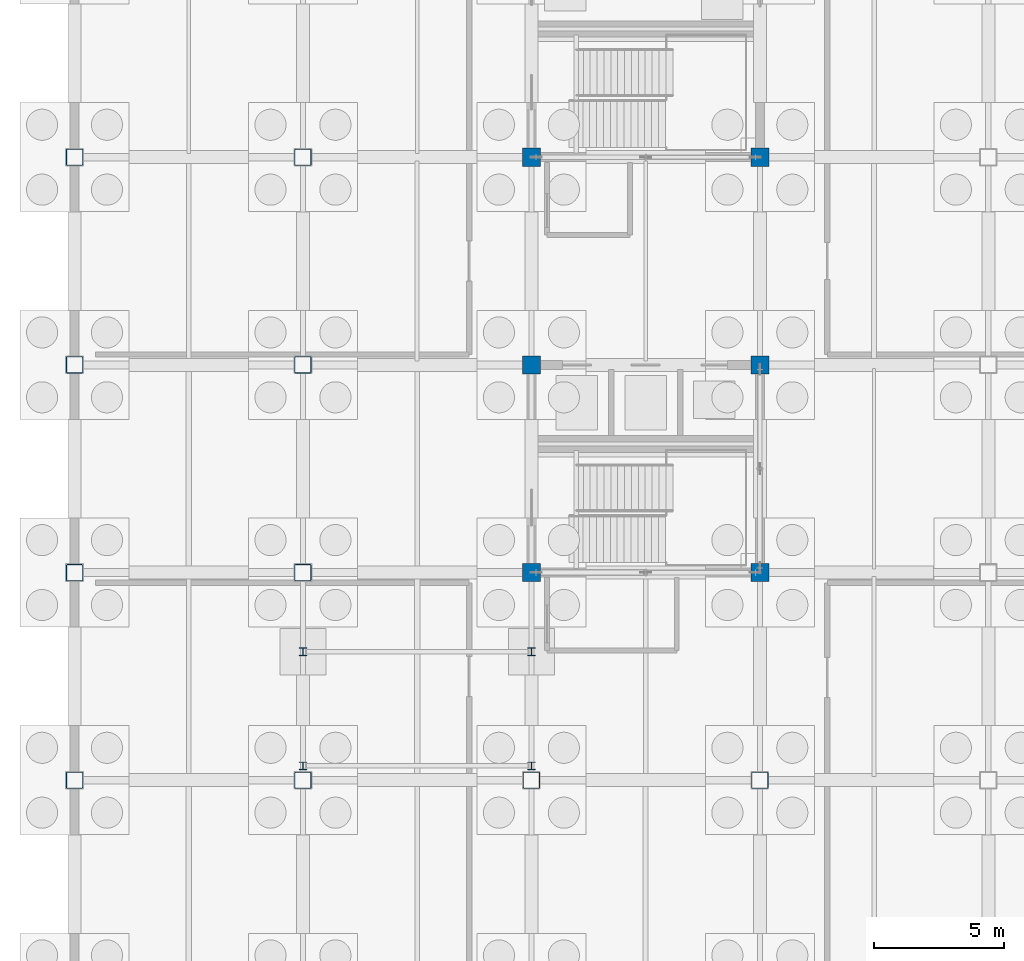
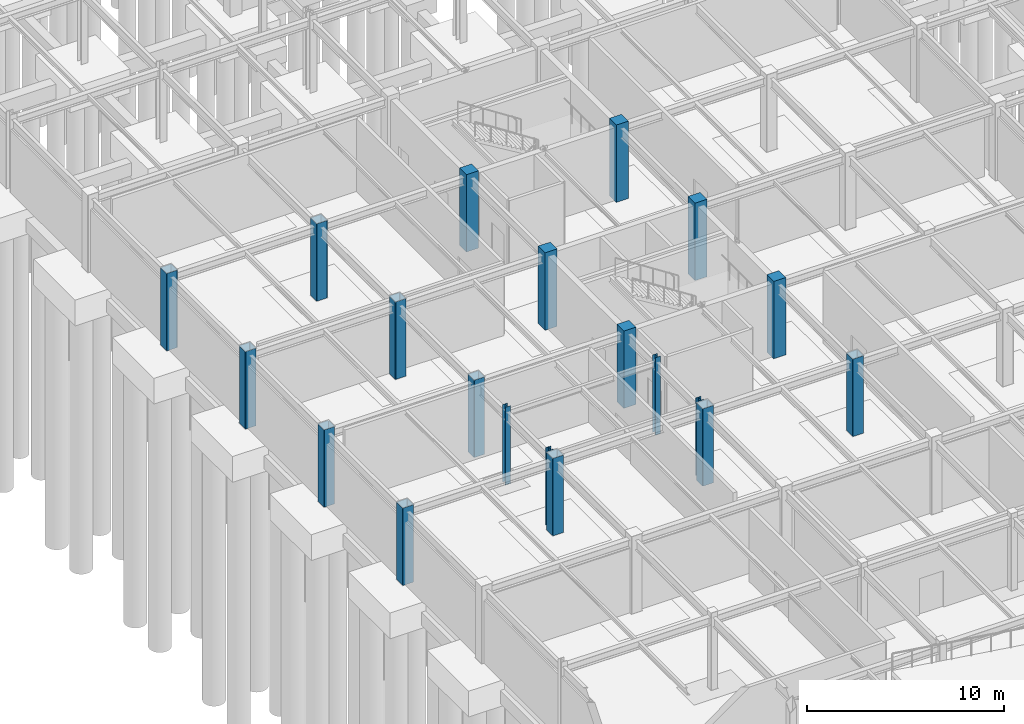
# One storey, part 14 of 72: 20 columns.
"""IFC4 building model written with IfcOpenShell, lengths in metres."""

from ifc_helpers import new_model, si_unit, direction, frame, origin, origin_2d, place, context, subcontext, project, spatial, rectangle, hollow_rectangle, i_section, extrude, material, material_profile, profile_set, type_object, element, save


model = new_model("IFC4")

# Units and contexts
model_context = context("Model", 3, precision=1e-05, world=origin(), true_north=direction((0.0, 1.0)))
body_context = subcontext(model_context, "Body", "Model", "MODEL_VIEW")
ifc_project = project(units=[si_unit("LENGTHUNIT", "METRE"), si_unit("AREAUNIT", "SQUARE_METRE"), si_unit("VOLUMEUNIT", "CUBIC_METRE"), si_unit("PLANEANGLEUNIT", "RADIAN"), si_unit("MASSUNIT", "GRAM", prefix="KILO")], contexts=[model_context])

# Site, building, storey
site_placement = place(None, origin())
site = spatial("IfcSite", under=ifc_project, at=site_placement, CompositionType="ELEMENT")
building_placement = place(site_placement, origin())
building = spatial("IfcBuilding", under=site, at=building_placement, Name="Zhaolan Boulevard Law Courts", CompositionType="ELEMENT")
storey_placement = place(building_placement, frame((0.0, 0.0, -4.800048828125)))
storey = spatial("IfcBuildingStorey", under=building, at=storey_placement, Name="B1", CompositionType="ELEMENT", Elevation=-4.800048828125)

# Columns
ifc_material_1 = material(Name="Structural steel Q390B", Category="steel")
ifc_material_profile_1 = material_profile(ifc_material_1, hollow_rectangle(XDim=0.64990234375, YDim=0.64990234375, WallThickness=0.02587890625, InnerFilletRadius=0.02587890625, OuterFilletRadius=0.052001953125, at=origin_2d()), Name="BOX650x650x26")
ifc_profile_set_1 = profile_set([ifc_material_profile_1], Name="Structural steel Q390B")
column_type_1 = type_object("IfcColumnType", Name="COL BOX650", PredefinedType="COLUMN", material=ifc_profile_set_1)
for number, where, z_axis, x_axis, name in (
    (1, (0.0, 38.0, 0.0), (0.0, 0.0, 1.0), (1.0, 0.0, 0.0), "Column C-1F (B1)"),
    (2, (0.0, 46.0, 0.0), (0.0, 0.0, 1.0), (1.0, 0.0, 0.0), "Column C-1G (B1)"),
    (3, (0.0, 54.0, 0.0), (0.0, 0.0, 1.0), (1.0, 0.0, 0.0), "Column C-1H (B1)"),
    (4, (0.0, 62.0, 0.0), (0.0, 0.0, 1.0), (1.0, 0.0, 0.0), "Column C-1J (B1)"),
    (5, (8.800048828125, 38.0, 0.0), (0.0, 0.0, 1.0), (1.0, 0.0, 0.0), "Column C-2F (B1)"),
    (6, (8.800048828125, 46.0, 0.0), (0.0, 0.0, 1.0), (1.0, 0.0, 0.0), "Column C-2G (B1)"),
    (7, (8.800048828125, 54.0, 0.0), (0.0, 0.0, 1.0), (1.0, 0.0, 0.0), "Column C-2H (B1)"),
    (8, (8.800048828125, 62.0, 0.0), (0.0, 0.0, 1.0), (1.0, 0.0, 0.0), "Column C-2J (B1)"),
    (9, (17.60009765625, 38.0, 0.0), (0.0, 0.0, 1.0), (1.0, 0.0, 0.0), "Column C-3F (B1)"),
    (10, (26.39990234375, 38.0, 0.0), (0.0, 0.0, 1.0), (1.0, 0.0, 0.0), "Column C-4F (B1)"),
):
    element("IfcColumn", number, at=place(storey_placement, frame(where, z_axis=z_axis, x_axis=x_axis)), inside=storey, type_object=column_type_1, Name=name, PredefinedType="COLUMN", context=body_context, shape_type="SweptSolid", body=[
        extrude(hollow_rectangle(XDim=0.64990234375, YDim=0.64990234375, WallThickness=0.02587890625, InnerFilletRadius=0.02587890625, OuterFilletRadius=0.052001953125, at=origin_2d()), origin(), (0.0, 0.0, 1.0), 4.800048828125),
    ])
ifc_material_2 = material(Name="Structural steel Q355B", Category="steel")
ifc_material_profile_2 = material_profile(ifc_material_2, i_section(OverallWidth=0.300048828125, OverallDepth=0.300048828125, WebThickness=0.010009765625, FlangeThickness=0.014892578125, FilletRadius=0.01806640625, at=origin_2d()), Name="HW300x300")
ifc_profile_set_2 = profile_set([ifc_material_profile_2], Name="Structural steel Q355B")
column_type_2 = type_object("IfcColumnType", Name="COL HW300", PredefinedType="COLUMN", material=ifc_profile_set_2)
for number, where, z_axis, x_axis, name in (
    (11, (8.800048828125, 38.550048828125, 0.0), (0.0, 0.0, 1.0), (1.0, 0.0, 0.0), "Stairwell Substructure Column CS-ST03-1"),
    (12, (17.60009765625, 38.550048828125, 0.0), (0.0, 0.0, 1.0), (1.0, 0.0, 0.0), "Stairwell Substructure Column CS-ST03-2"),
    (13, (8.800048828125, 42.949951171875, 0.0), (0.0, 0.0, 1.0), (1.0, 0.0, 0.0), "Stairwell Substructure Column CS-ST03-3"),
    (14, (17.60009765625, 42.949951171875, 0.0), (0.0, 0.0, 1.0), (1.0, 0.0, 0.0), "Stairwell Substructure Column CS-ST03-4"),
):
    element("IfcColumn", number, at=place(storey_placement, frame(where, z_axis=z_axis, x_axis=x_axis)), inside=storey, type_object=column_type_2, Name=name, PredefinedType="COLUMN", context=body_context, shape_type="SweptSolid", body=[
        extrude(i_section(OverallWidth=0.300048828125, OverallDepth=0.300048828125, WebThickness=0.010009765625, FlangeThickness=0.014892578125, FilletRadius=0.01806640625, at=origin_2d()), origin(), (0.0, 0.0, 1.0), 4.800048828125),
    ])
ifc_material_3 = material(Name="Concrete C50", Category="concrete")
ifc_material_profile_3 = material_profile(ifc_material_3, rectangle(XDim=0.699951171875, YDim=0.699951171875, at=origin_2d()), Name="RC700x700")
ifc_profile_set_3 = profile_set([ifc_material_profile_3], Name="Concrete C50")
column_type_3 = type_object("IfcColumnType", Name="COL RC700", PredefinedType="COLUMN", material=ifc_profile_set_3)
for number, where, z_axis, x_axis, name in (
    (15, (17.60009765625, 46.0, 0.0), (0.0, 0.0, 1.0), (1.0, 0.0, 0.0), "Column C-3G (B1)"),
    (16, (17.60009765625, 54.0, 0.0), (0.0, 0.0, 1.0), (1.0, 0.0, 0.0), "Column C-3H (B1)"),
    (17, (17.60009765625, 62.0, 0.0), (0.0, 0.0, 1.0), (1.0, 0.0, 0.0), "Column C-3J (B1)"),
    (18, (26.39990234375, 46.0, 0.0), (0.0, 0.0, 1.0), (1.0, 0.0, 0.0), "Column C-4G (B1)"),
    (19, (26.39990234375, 54.0, 0.0), (0.0, 0.0, 1.0), (1.0, 0.0, 0.0), "Column C-4H (B1)"),
    (20, (26.39990234375, 62.0, 0.0), (0.0, 0.0, 1.0), (1.0, 0.0, 0.0), "Column C-4J (B1)"),
):
    element("IfcColumn", number, at=place(storey_placement, frame(where, z_axis=z_axis, x_axis=x_axis)), inside=storey, type_object=column_type_3, Name=name, PredefinedType="COLUMN", context=body_context, shape_type="SweptSolid", body=[
        extrude(rectangle(XDim=0.699951171875, YDim=0.699951171875, at=origin_2d()), origin(), (0.0, 0.0, 1.0), 4.800048828125),
    ])

save(model, "model.ifc")
